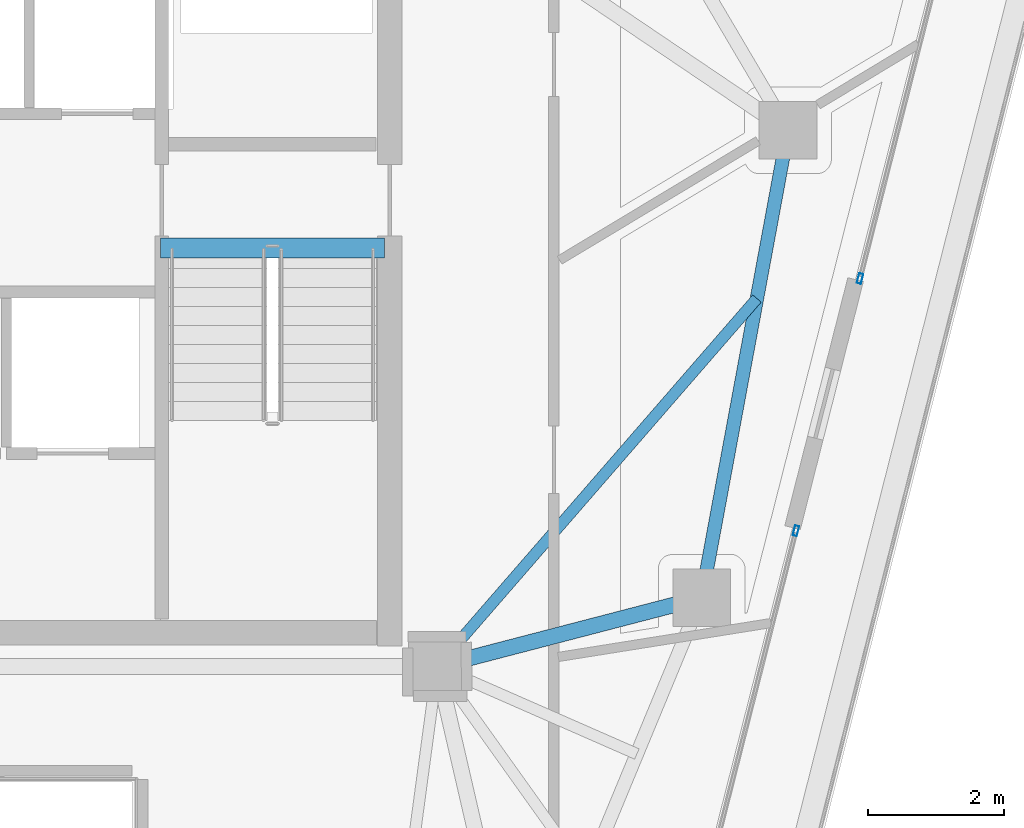
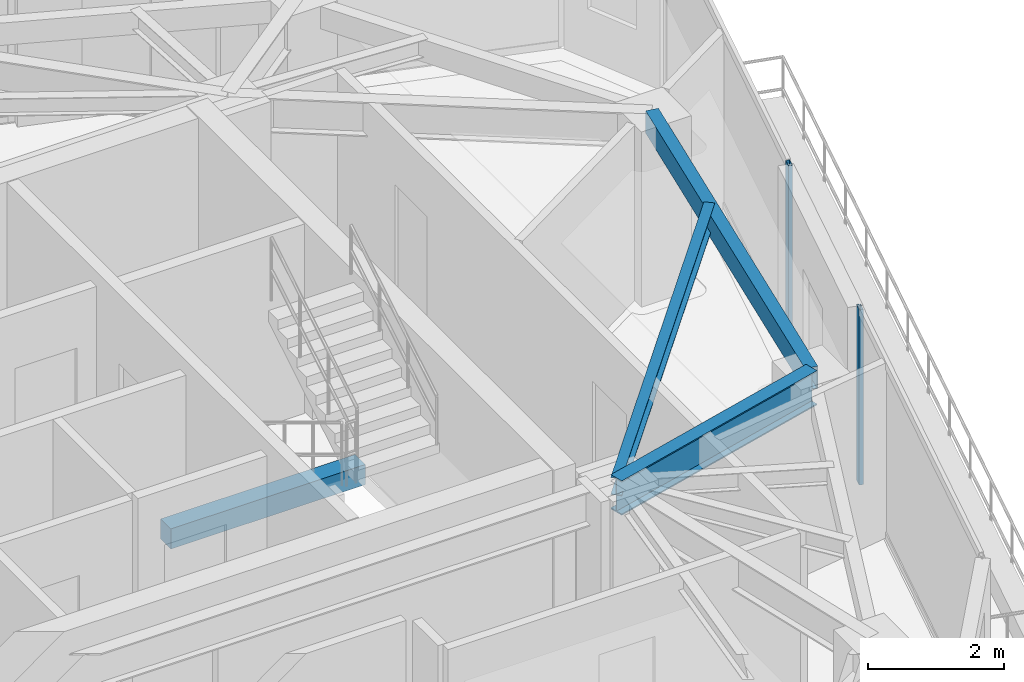
# One storey, part 12 of 20: 4 beams, 2 members, 2 elements without a shape of their own.
"""IFC4 building model written with IfcOpenShell, lengths in metres."""

from ifc_helpers import new_model, si_unit, direction, frame, origin, origin_2d, place, context, subcontext, project, spatial, rectangle, hollow_rectangle, i_section, extrude, source, transform, mapped, material, layer, layer_set, material_profile, profile_set, type_object, type_shapes, element, aggregate, save


model = new_model("IFC4")

# Units and contexts
model_context = context("Model", 3, precision=1e-05, world=origin(), true_north=direction((0.0, 1.0)))
body_context = subcontext(model_context, "Body", "Model", "MODEL_VIEW")
ifc_project = project(units=[si_unit("LENGTHUNIT", "METRE"), si_unit("AREAUNIT", "SQUARE_METRE"), si_unit("VOLUMEUNIT", "CUBIC_METRE"), si_unit("PLANEANGLEUNIT", "RADIAN"), si_unit("MASSUNIT", "GRAM", prefix="KILO")], contexts=[model_context])

# Site, building, storey
site_placement = place(None, origin())
site = spatial("IfcSite", under=ifc_project, at=site_placement, CompositionType="ELEMENT")
building_placement = place(site_placement, origin())
building = spatial("IfcBuilding", under=site, at=building_placement, Name="Talar Marvaseh", CompositionType="ELEMENT")
storey_placement = place(building_placement, frame((0.0, 0.0, 251.0)))
storey = spatial("IfcBuildingStorey", under=building, at=storey_placement, Name="L66", CompositionType="ELEMENT", Elevation=251.0)

# Beams
ifc_material_1 = material(Name="Concrete C40/50", Category="concrete")
ifc_material_profile_1 = material_profile(ifc_material_1, rectangle(XDim=0.300048828125, YDim=0.360107421875, at=origin_2d()), Name="RC300x360")
ifc_profile_set_1 = profile_set([ifc_material_profile_1], Name="Concrete C40/50")
beam_type_1 = type_object("IfcBeamType", Name="Concrete Stair Landing Trimmer Beam RC300x360", PredefinedType="SPANDREL", material=ifc_profile_set_1)
beam_1_placement = place(storey_placement, frame((29.219970703125, 31.669921875, -0.179931640625), z_axis=(1.0, 0.0, 0.0), x_axis=(0.0, 1.0, 0.0)))
element("IfcBeam", 1, at=beam_1_placement, inside=storey, type_object=beam_type_1, Name="L66 ST-2 Stair Nosing Trimmer Beam", PredefinedType="SPANDREL", context=body_context, shape_type="SweptSolid", body=[
    extrude(rectangle(XDim=0.300048828125, YDim=0.360107421875, at=origin_2d()), origin(), (0.0, 0.0, 1.0), 3.300048828125),
])
ifc_material_2 = material(Name="Steel S355", Category="steel")
ifc_material_profile_2 = material_profile(ifc_material_2, hollow_rectangle(XDim=0.199951171875, YDim=0.39990234375, WallThickness=0.013916015625, at=origin_2d()), Name="RHS400x200x14")
ifc_profile_set_2 = profile_set([ifc_material_profile_2], Name="Steel S355")
beam_type_2 = type_object("IfcBeamType", Name="Zone 3 Perimeter Spandrel Beam RHS400x200x14", PredefinedType="SPANDREL", material=ifc_profile_set_2)
beam_2_placement = place(storey_placement, frame((38.470947265625, 33.406005859375, 2.93994140625), z_axis=(-0.181759950929, -0.983342931148, 0.0), x_axis=(0.983342931148, -0.181759950929, 0.0)))
element("IfcBeam", 2, at=beam_2_placement, inside=storey, type_object=beam_type_2, Name="L66 Zone 3 Perimeter Spandrel Beam RHS400x200x14", PredefinedType="SPANDREL", context=body_context, shape_type="SweptSolid", body=[
    extrude(hollow_rectangle(XDim=0.199951171875, YDim=0.39990234375, WallThickness=0.013916015625, at=origin_2d()), origin(), (0.0, 0.0, 1.0), 7.0087890625),
])
ifc_material_profile_3 = material_profile(ifc_material_2, i_section(OverallWidth=0.166015625, OverallDepth=0.31298828125, WebThickness=0.006591796875, FlangeThickness=0.01123046875, at=origin_2d()), Name="W310x45")
ifc_profile_set_3 = profile_set([ifc_material_profile_3], Name="Steel S355")
beam_type_3 = type_object("IfcBeamType", Name="Zone 3 Secondary Floor Joist W310x45", PredefinedType="JOIST", material=ifc_profile_set_3)
beam_3_placement = place(storey_placement, frame((38.012451171875, 30.9248046875, 2.9833984375), z_axis=(-0.655796743858, -0.754937501218, 0.0), x_axis=(0.754937501218, -0.655796743858, 0.0)))
element("IfcBeam", 3, at=beam_3_placement, inside=storey, type_object=beam_type_3, Name="L66 Zone 3 Secondary Floor Joist W310x45", PredefinedType="JOIST", context=body_context, shape_type="SweptSolid", body=[
    extrude(i_section(OverallWidth=0.166015625, OverallDepth=0.31298828125, WebThickness=0.006591796875, FlangeThickness=0.01123046875, at=origin_2d()), origin(), (0.0, 0.0, 1.0), 7.185791015625),
])
ifc_material_profile_4 = material_profile(ifc_material_2, i_section(OverallWidth=0.22998046875, OverallDepth=0.616943359375, WebThickness=0.01318359375, FlangeThickness=0.022216796875, at=origin_2d()), Name="W610x140")
ifc_profile_set_4 = profile_set([ifc_material_profile_4], Name="Steel S355")
beam_type_4 = type_object("IfcBeamType", Name="Zone 4 Radial Floor Girder W610x140", PredefinedType="BEAM", material=ifc_profile_set_4)
beam_4_placement = place(storey_placement, frame((37.197021484375, 26.513916015625, 2.83154296875), z_axis=(-0.967779967746, -0.251797406719, 0.0), x_axis=(0.251797406719, -0.967779967746, 0.0)))
element("IfcBeam", 4, at=beam_4_placement, inside=storey, type_object=beam_type_4, Name="L66 Zone 4 Radial Floor Girder W610x140", PredefinedType="BEAM", context=body_context, shape_type="SweptSolid", body=[
    extrude(i_section(OverallWidth=0.22998046875, OverallDepth=0.616943359375, WebThickness=0.01318359375, FlangeThickness=0.022216796875, at=origin_2d()), origin(), (0.0, 0.0, 1.0), 4.026611328125),
])

# Curtain wall, member
ifc_material_3 = material(Name="Architectural Aluminium", Category="aluminium")
ifc_layer = layer(ifc_material_3, 0.179931640625)
ifc_layer_set = layer_set([ifc_layer], Name="Architectural Aluminium")
curtain_wall_type = type_object("IfcCurtainWallType", Name="Unitised High-Wind Sky Curtain Wall Z4", PredefinedType="NOTDEFINED", material=ifc_layer_set)
curtain_wall_1_placement = place(storey_placement, origin())
curtain_wall_1 = element("IfcCurtainWall", 5, at=curtain_wall_1_placement, inside=storey, type_object=curtain_wall_type, Name="L66 Unitised High-Wind Sky Curtain Wall Z4", PredefinedType="NOTDEFINED")
ifc_material_profile_5 = material_profile(ifc_material_3, hollow_rectangle(XDim=0.06494140625, YDim=0.14990234375, WallThickness=0.00390625, at=origin_2d()), Name="RHS150x65x4")
ifc_profile_set_5 = profile_set([ifc_material_profile_5], Name="Architectural Aluminium")
member_type = type_object("IfcMemberType", Name="Unitised Curtain Wall Slim Mullion RHS150x65x4", PredefinedType="MULLION", material=ifc_profile_set_5)
shared_shape = source(origin(), body_context, "Body", "SweptSolid", [
    extrude(hollow_rectangle(XDim=0.06494140625, YDim=0.14990234375, WallThickness=0.00390625, at=origin_2d()), origin(), (0.0, 0.0, 1.0), 3.139892578125),
])
type_shapes(member_type, [shared_shape])
member_1_placement = place(storey_placement, frame((39.53271484375, 31.21923828125, 0.0), z_axis=(0.0, 0.0, 1.0), x_axis=(0.969193888648, -0.246299017878, 0.0)))
member_1 = element("IfcMember", 6, at=member_1_placement, type_object=member_type, Name="CW-Z4 mullion 2", PredefinedType="MULLION", context=body_context, shape_type="MappedRepresentation", body=[
    mapped(shared_shape, transform((0.0, 0.0, 0.0), x_axis=(1.0, 0.0, 0.0), y_axis=(0.0, 1.0, 0.0), z_axis=(0.0, 0.0, 1.0), scale=1.0)),
])
aggregate(curtain_wall_1, [member_1])

curtain_wall_2_placement = place(storey_placement, origin())
curtain_wall_2 = element("IfcCurtainWall", 7, at=curtain_wall_2_placement, inside=storey, type_object=curtain_wall_type, Name="L66 Unitised High-Wind Sky Curtain Wall Z4", PredefinedType="NOTDEFINED")
member_2_placement = place(storey_placement, frame((38.587646484375, 27.50048828125, 0.0), z_axis=(0.0, 0.0, 1.0), x_axis=(0.969193888648, -0.246299017878, 0.0)))
member_2 = element("IfcMember", 8, at=member_2_placement, type_object=member_type, Name="CW-Z4 mullion 1", PredefinedType="MULLION", context=body_context, shape_type="MappedRepresentation", body=[
    mapped(shared_shape, transform((0.0, 0.0, 0.0), x_axis=(1.0, 0.0, 0.0), y_axis=(0.0, 1.0, 0.0), z_axis=(0.0, 0.0, 1.0), scale=1.0)),
])
aggregate(curtain_wall_2, [member_2])

save(model, "model.ifc")
